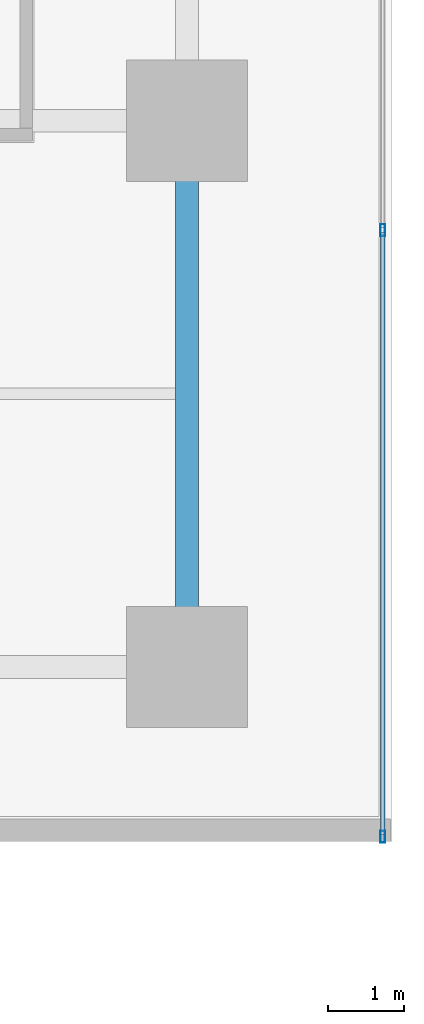
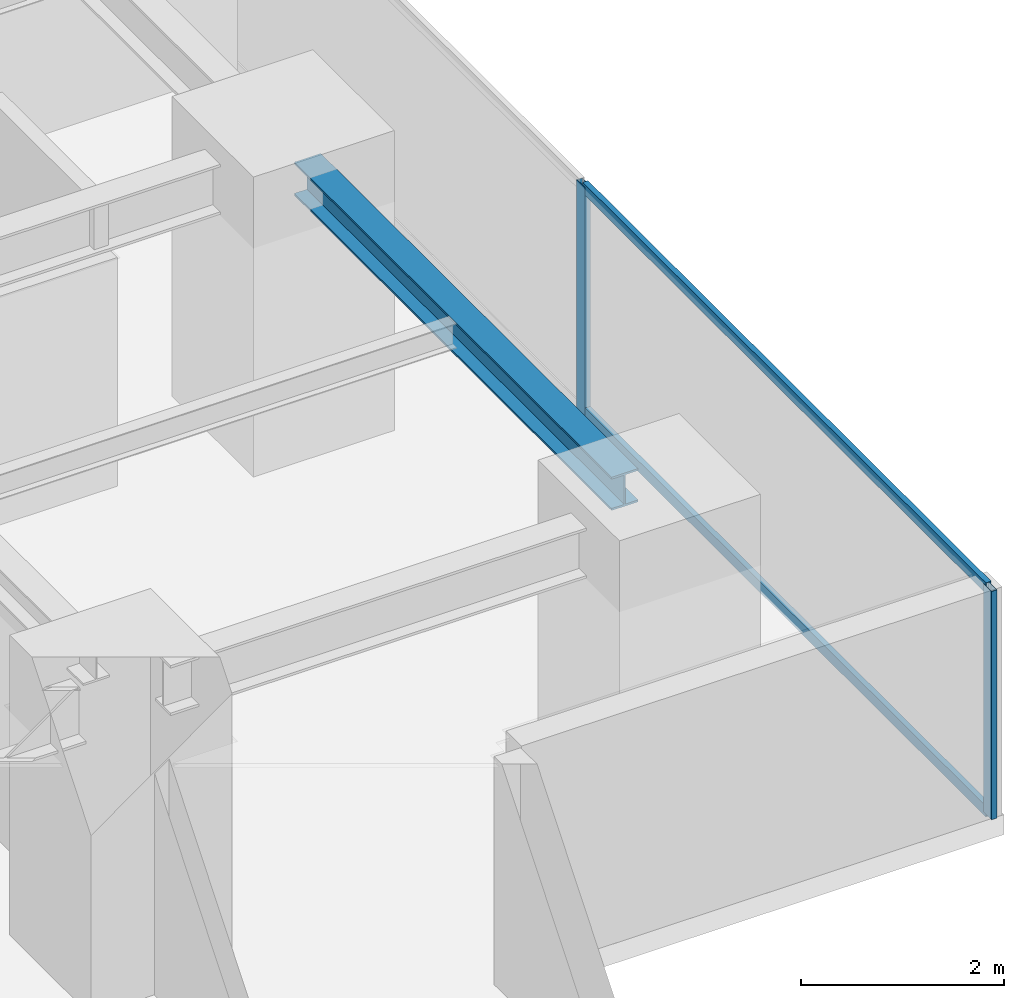
# One storey, part 14 of 35: 4 members, 1 beam, 1 element without a shape of its own.
"""IFC4 building model written with IfcOpenShell, lengths in metres."""

from ifc_helpers import new_model, si_unit, direction, frame, origin, origin_2d, place, context, subcontext, project, spatial, hollow_rectangle, i_section, extrude, source, transform, mapped, material, layer, layer_set, material_profile, profile_set, type_object, element, aggregate, save


model = new_model("IFC4")

# Units and contexts
model_context = context("Model", 3, precision=1e-05, world=origin(), true_north=direction((0.0, 1.0)))
body_context = subcontext(model_context, "Body", "Model", "MODEL_VIEW")
ifc_project = project(units=[si_unit("LENGTHUNIT", "METRE"), si_unit("AREAUNIT", "SQUARE_METRE"), si_unit("VOLUMEUNIT", "CUBIC_METRE"), si_unit("PLANEANGLEUNIT", "RADIAN"), si_unit("MASSUNIT", "GRAM", prefix="KILO")], contexts=[model_context])

# Site, building, storey
site_placement = place(None, origin())
site = spatial("IfcSite", under=ifc_project, at=site_placement, CompositionType="ELEMENT")
building_placement = place(site_placement, origin())
building = spatial("IfcBuilding", under=site, at=building_placement, Name="Sumidabori Civic Tower", CompositionType="ELEMENT")
storey_placement = place(building_placement, frame((0.0, 0.0, 102.800048828125)))
storey = spatial("IfcBuildingStorey", under=building, at=storey_placement, Name="L26", CompositionType="ELEMENT", Elevation=102.800048828125)

# Beam
ifc_material_1 = material(Name="Steel SN490", Category="steel")
ifc_material_profile_1 = material_profile(ifc_material_1, i_section(OverallWidth=0.300048828125, OverallDepth=0.39990234375, WebThickness=0.013427734375, FlangeThickness=0.02392578125, at=origin_2d()), Name="HE 400 B")
ifc_profile_set_1 = profile_set([ifc_material_profile_1], Name="Steel SN490")
beam_type = type_object("IfcBeamType", Name="BM-GIRD-400", PredefinedType="BEAM", material=ifc_profile_set_1)
shared_shape_1 = source(origin(), body_context, "Body", "SweptSolid", [
    extrude(i_section(OverallWidth=0.300048828125, OverallDepth=0.39990234375, WebThickness=0.013427734375, FlangeThickness=0.02392578125, at=origin_2d()), origin(), (0.0, 0.0, 1.0), 6.239990234375),
])
beam_placement = place(storey_placement, frame((22.800048828125, -17.52001953125, 3.159912109375), z_axis=(0.0, 1.0, 0.0), x_axis=(-1.0, 0.0, 0.0)))
element("IfcBeam", 1, at=beam_placement, inside=storey, type_object=beam_type, Name="Primary Girder L26 GY-39", PredefinedType="BEAM", context=body_context, shape_type="MappedRepresentation", body=[
    mapped(shared_shape_1, transform((0.0, 0.0, 0.0), x_axis=(1.0, 0.0, 0.0), y_axis=(0.0, 1.0, 0.0), z_axis=(0.0, 0.0, 1.0), scale=1.0)),
])

# Curtain wall, members
ifc_material_2 = material(Name="Anodised Bronze Aluminium AW-6063-T6", Category="aluminium")
ifc_layer = layer(ifc_material_2, 0.179931640625, Name="Anodised Bronze Aluminium AW-6063-T6")
ifc_layer_set = layer_set([ifc_layer], Name="Anodised Bronze Aluminium AW-6063-T6")
curtain_wall_type = type_object("IfcCurtainWallType", Name="CW-SYS-3", PredefinedType="NOTDEFINED", material=ifc_layer_set)
curtain_wall_placement = place(storey_placement, origin())
curtain_wall = element("IfcCurtainWall", 2, at=curtain_wall_placement, inside=storey, type_object=curtain_wall_type, Name="Curtain Wall CW:L26:R04", PredefinedType="NOTDEFINED")
ifc_material_profile_2 = material_profile(ifc_material_2, hollow_rectangle(XDim=0.06494140625, YDim=0.159912109375, WallThickness=0.0048828125, at=origin_2d()), Name="ALU MULLION 160x65")
ifc_profile_set_2 = profile_set([ifc_material_profile_2], Name="Anodised Bronze Aluminium AW-6063-T6")
member_type_1 = type_object("IfcMemberType", Name="CW-MUL-160", PredefinedType="MULLION", material=ifc_profile_set_2)
shared_shape_2 = source(origin(), body_context, "Body", "SweptSolid", [
    extrude(hollow_rectangle(XDim=0.06494140625, YDim=0.159912109375, WallThickness=0.0048828125, at=origin_2d()), origin(), (0.0, 0.0, 1.0), 2.739990234375),
])
member_1_placement = place(storey_placement, frame((25.3798828125, -20.237548828125, 0.0), z_axis=(0.0, 0.0, 1.0), x_axis=(-1.0, 0.0, 0.0)))
member_1 = element("IfcMember", 3, at=member_1_placement, type_object=member_type_1, Name="CW-3 mullion 1", PredefinedType="MULLION", context=body_context, shape_type="MappedRepresentation", body=[
    mapped(shared_shape_2, transform((0.0, 0.0, 0.0), x_axis=(1.0, 0.0, 0.0), y_axis=(0.0, 1.0, 0.0), z_axis=(0.0, 0.0, 1.0), scale=1.0)),
])
member_2_placement = place(storey_placement, frame((25.3798828125, -12.241943359375, 0.0), z_axis=(0.0, 0.0, 1.0), x_axis=(-1.0, 0.0, 0.0)))
member_2 = element("IfcMember", 4, at=member_2_placement, type_object=member_type_1, Name="CW-3 mullion 2", PredefinedType="MULLION", context=body_context, shape_type="MappedRepresentation", body=[
    mapped(shared_shape_2, transform((0.0, 0.0, 0.0), x_axis=(1.0, 0.0, 0.0), y_axis=(0.0, 1.0, 0.0), z_axis=(0.0, 0.0, 1.0), scale=1.0)),
])
ifc_material_profile_3 = material_profile(ifc_material_2, hollow_rectangle(XDim=0.06005859375, YDim=0.1298828125, WallThickness=0.0048828125, at=origin_2d()), Name="ALU TRANSOM 130x60")
ifc_profile_set_3 = profile_set([ifc_material_profile_3], Name="Anodised Bronze Aluminium AW-6063-T6")
member_type_2 = type_object("IfcMemberType", Name="CW-TRN-130", PredefinedType="USERDEFINED", material=ifc_profile_set_3)
shared_shape_3 = source(origin(), body_context, "Body", "SweptSolid", [
    extrude(hollow_rectangle(XDim=0.06005859375, YDim=0.1298828125, WallThickness=0.0048828125, at=origin_2d()), origin(), (0.0, 0.0, 1.0), 7.9306640625),
])
member_3_placement = place(storey_placement, frame((25.3798828125, -20.205078125, 0.030029296875), z_axis=(0.0, 1.0, 0.0), x_axis=(-1.0, 0.0, 0.0)))
member_3 = element("IfcMember", 5, at=member_3_placement, type_object=member_type_2, Name="CW-3 transom 1.1", ObjectType="TRANSOM", PredefinedType="USERDEFINED", context=body_context, shape_type="MappedRepresentation", body=[
    mapped(shared_shape_3, transform((0.0, 0.0, 0.0), x_axis=(1.0, 0.0, 0.0), y_axis=(0.0, 1.0, 0.0), z_axis=(0.0, 0.0, 1.0), scale=1.0)),
])
member_4_placement = place(storey_placement, frame((25.3798828125, -20.205078125, 2.7099609375), z_axis=(0.0, 1.0, 0.0), x_axis=(-1.0, 0.0, 0.0)))
member_4 = element("IfcMember", 6, at=member_4_placement, type_object=member_type_2, Name="CW-3 transom 1.2", ObjectType="TRANSOM", PredefinedType="USERDEFINED", context=body_context, shape_type="MappedRepresentation", body=[
    mapped(shared_shape_3, transform((0.0, 0.0, 0.0), x_axis=(1.0, 0.0, 0.0), y_axis=(0.0, 1.0, 0.0), z_axis=(0.0, 0.0, 1.0), scale=1.0)),
])
aggregate(curtain_wall, [member_1, member_2, member_3, member_4])

save(model, "model.ifc")
